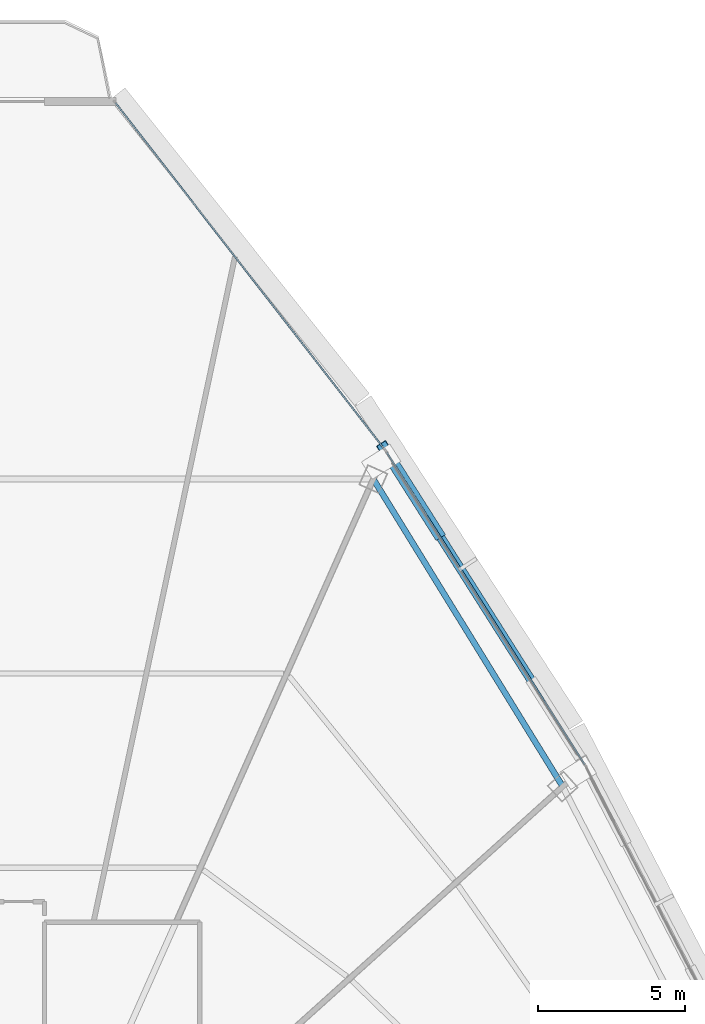
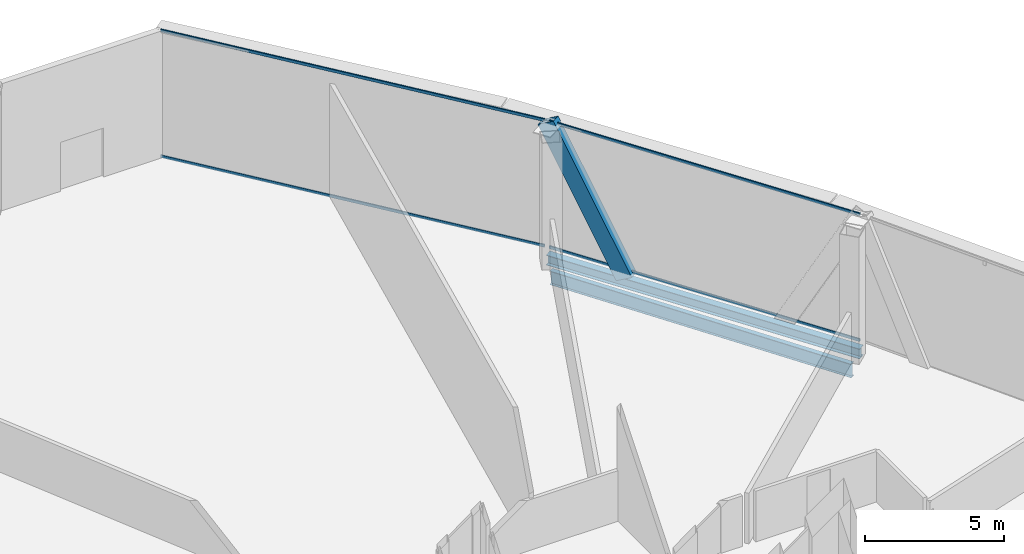
# One storey, part 23 of 33: 5 members, 2 beams, 2 elements without a shape of their own.
"""IFC4 building model written with IfcOpenShell, lengths in metres."""

import ifcopenshell
import ifcopenshell.guid

model = None  # the IFC model being written
_history = None  # IfcOwnerHistory: only IFC2X3 demands one
_inside = {}  # id of a spatial element -> (the spatial element, [elements in it])
_under = {}  # id of a project, library or spatial element -> (it, [spatial elements below it])
_declared = {}  # id of a project -> (the project, [libraries it declares])
_typed = {}  # id of a type object -> (the type object, [elements of that type])
_made_of = {}  # id of a material, layer set ... -> (it, [elements and type objects made of it])


def new_model(schema):
    """Start an empty IFC model of exactly this schema.

    Asked for "IFC4X3", IfcOpenShell would pick the latest addendum, in which some entities
    have other attributes; the version numbers below select the first issue.
    IFC2X3 requires an IfcOwnerHistory on every rooted entity: one is made here for all.
    """
    global model, _history
    if schema == "IFC4X3":
        model = ifcopenshell.file(schema_version=(4, 3, 0, 0))
    else:
        model = ifcopenshell.file(schema=schema)
    _inside.clear()
    _under.clear()
    _declared.clear()
    _typed.clear()
    _made_of.clear()
    _history = None
    if model.schema == "IFC2X3":
        org = make("IfcOrganization", Name="unknown")
        user = make(
            "IfcPersonAndOrganization",
            ThePerson=make("IfcPerson", FamilyName="unknown"),
            TheOrganization=org,
        )
        app = make(
            "IfcApplication",
            ApplicationDeveloper=org,
            Version="unknown",
            ApplicationFullName="unknown",
            ApplicationIdentifier="unknown",
        )
        _history = make(
            "IfcOwnerHistory",
            OwningUser=user,
            OwningApplication=app,
            ChangeAction="ADDED",
            CreationDate=0,
        )
    return model


def make(cls, **values):
    """One entity of the class cls with the attributes given. An attribute that is None is left unset."""
    return model.create_entity(
        cls, **{name: value for name, value in values.items() if value is not None}
    )


def rooted(cls, **values):
    """An entity with a GlobalId (a new one), such as an element, a storey or a relation."""
    return make(cls, GlobalId=ifcopenshell.guid.new(), OwnerHistory=_history, **values)


def si_unit(unit_type, name, prefix=None):
    """IfcSIUnit, for example si_unit("LENGTHUNIT", "METRE", prefix="MILLI")."""
    return make("IfcSIUnit", UnitType=unit_type, Prefix=prefix, Name=name)


def assignment(units):
    """IfcUnitAssignment: the units of a project."""
    return None if units is None else make("IfcUnitAssignment", Units=units)


def point(xyz):
    """IfcCartesianPoint."""
    return None if xyz is None else make("IfcCartesianPoint", Coordinates=xyz)


def direction(xyz):
    """IfcDirection."""
    return None if xyz is None else make("IfcDirection", DirectionRatios=xyz)


def frame(location, z_axis=None, x_axis=None):
    """IfcAxis2Placement3D, a coordinate frame: its origin and axes. An axis left out is left unset."""
    return make(
        "IfcAxis2Placement3D",
        Location=point(location),
        Axis=direction(z_axis),
        RefDirection=direction(x_axis),
    )


def frame_2d(location, x_axis=None):
    """IfcAxis2Placement2D, a coordinate frame in the plane: its origin and x axis."""
    return make(
        "IfcAxis2Placement2D", Location=point(location), RefDirection=direction(x_axis)
    )


def origin():
    """The frame at (0, 0, 0) with its axes left unset."""
    return frame((0.0, 0.0, 0.0))


def origin_2d():
    """The frame at (0, 0) in the plane with its x axis left unset."""
    return frame_2d((0.0, 0.0))


def place(relative_to, where):
    """IfcLocalPlacement: puts the frame where relative to a parent placement (None: the world)."""
    return make(
        "IfcLocalPlacement", PlacementRelTo=relative_to, RelativePlacement=where
    )


def context(
    kind, dimensions, precision=None, world=None, true_north=None, identifier=None
):
    """IfcGeometricRepresentationContext, for example the 3D "Model" context."""
    return make(
        "IfcGeometricRepresentationContext",
        ContextIdentifier=identifier,
        ContextType=kind,
        CoordinateSpaceDimension=dimensions,
        Precision=precision,
        WorldCoordinateSystem=world,
        TrueNorth=true_north,
    )


def subcontext(parent, identifier, kind, view, scale=None):
    """IfcGeometricRepresentationSubContext, for example "Body" below "Model"."""
    return make(
        "IfcGeometricRepresentationSubContext",
        ContextIdentifier=identifier,
        ContextType=kind,
        ParentContext=parent,
        TargetScale=scale,
        TargetView=view,
    )


def project(units=None, contexts=None):
    """IfcProject with its units and contexts."""
    return rooted(
        "IfcProject",
        Name="project",
        RepresentationContexts=contexts,
        UnitsInContext=assignment(units),
    )


def spatial(cls, under=None, at=None, **own):
    """A site, building, storey or space (cls), placed at a placement, below another one or the project."""
    s = rooted(cls, ObjectPlacement=at, **own)
    if under is not None:
        _under.setdefault(under.id(), (under, []))[1].append(s)
    return s


def profile(cls, at=None, kind="AREA", **sizes):
    """A parametric profile (cls). Its sizes go by their IFC names, for example OverallWidth=200.0."""
    return make(cls, ProfileType=kind, Position=at, **sizes)


def hollow_rectangle(**sizes):
    """IfcRectangleHollowProfileDef."""
    return profile("IfcRectangleHollowProfileDef", **sizes)


def i_section(**sizes):
    """IfcIShapeProfileDef."""
    return profile("IfcIShapeProfileDef", **sizes)


def extrude(swept, where, along, depth):
    """IfcExtrudedAreaSolid: the profile swept, set in the frame where, extruded along a direction by depth."""
    return make(
        "IfcExtrudedAreaSolid",
        SweptArea=swept,
        Position=where,
        ExtrudedDirection=direction(along),
        Depth=depth,
    )


def shape(context_of_items, identifier, shape_type, items):
    """IfcShapeRepresentation: the items that make up one representation, for example the "Body"."""
    return make(
        "IfcShapeRepresentation",
        ContextOfItems=context_of_items,
        RepresentationIdentifier=identifier,
        RepresentationType=shape_type,
        Items=items,
    )


def source(mapping_origin, context_of_items, identifier, shape_type, items):
    """IfcRepresentationMap: a shape defined once, which mapped items show again and again."""
    return make(
        "IfcRepresentationMap",
        MappingOrigin=mapping_origin,
        MappedRepresentation=shape(context_of_items, identifier, shape_type, items),
    )


def transform(
    local_origin,
    x_axis=None,
    y_axis=None,
    z_axis=None,
    scale=None,
    scale2=None,
    scale3=None,
    uniform=True,
):
    """IfcCartesianTransformationOperator3D, or its non-uniform kind. x_axis, y_axis, z_axis: its Axis1, 2, 3."""
    if uniform:
        return make(
            "IfcCartesianTransformationOperator3D",
            Axis1=direction(x_axis),
            Axis2=direction(y_axis),
            LocalOrigin=point(local_origin),
            Scale=scale,
            Axis3=direction(z_axis),
        )
    return make(
        "IfcCartesianTransformationOperator3DnonUniform",
        Axis1=direction(x_axis),
        Axis2=direction(y_axis),
        LocalOrigin=point(local_origin),
        Scale=scale,
        Axis3=direction(z_axis),
        Scale2=scale2,
        Scale3=scale3,
    )


def mapped(mapping_source, mapping_target):
    """IfcMappedItem: shows the shape of a source again, moved by a transform."""
    return make(
        "IfcMappedItem", MappingSource=mapping_source, MappingTarget=mapping_target
    )


def material(Name=None, Category=None):
    """IfcMaterial."""
    return make("IfcMaterial", Name=Name, Category=Category)


def layer(
    of_material, thickness, ventilated=None, Name=None, Category=None, Priority=None
):
    """IfcMaterialLayer: one layer of a wall or slab, of a material (None: an air gap)."""
    return make(
        "IfcMaterialLayer",
        Material=of_material,
        LayerThickness=thickness,
        IsVentilated=ventilated,
        Name=Name,
        Category=Category,
        Priority=Priority,
    )


def layer_set(layers, Name=None):
    """IfcMaterialLayerSet."""
    return make("IfcMaterialLayerSet", MaterialLayers=layers, LayerSetName=Name)


def material_profile(
    of_material, cross_section, Name=None, Category=None, Priority=None
):
    """IfcMaterialProfile: a cross section and its material."""
    return make(
        "IfcMaterialProfile",
        Name=Name,
        Material=of_material,
        Profile=cross_section,
        Priority=Priority,
        Category=Category,
    )


def profile_set(profiles, Name=None, composite=None):
    """IfcMaterialProfileSet."""
    return make(
        "IfcMaterialProfileSet",
        Name=Name,
        MaterialProfiles=profiles,
        CompositeProfile=composite,
    )


def made_of(thing, what):
    """Note that an element or type object is made of a material, layer set ...; save() writes the relation."""
    if what is not None:
        _made_of.setdefault(what.id(), (what, []))[1].append(thing)
    return thing


def type_object(cls, material=None, **own):
    """A type object (cls), such as IfcWallType, which elements share."""
    return made_of(rooted(cls, **own), material)


def element(
    cls,
    number,
    at=None,
    inside=None,
    cuts=None,
    type_object=None,
    material=None,
    context=None,
    identifier="Body",
    shape_type=None,
    held_by="IfcProductDefinitionShape",
    body=None,
    shapes=None,
    **own,
):
    """One element of the class cls, such as IfcWall. Its Tag is "e" and its number.

    at: its placement. inside: the storey or other place that contains it. cuts: it is an
    opening in that element (IfcRelVoidsElement). A single representation is given by context,
    identifier, shape_type and body (its items); several are given by shapes. held_by: the class
    of the entity that holds the representations. save() writes the other relations.
    """
    e = rooted(cls, Tag="e%d" % number, ObjectPlacement=at, **own)
    if body is not None:
        shapes = [shape(context, identifier, shape_type, body)]
    if shapes is not None:
        e.Representation = make(held_by, Representations=shapes)
    if inside is not None:
        _inside.setdefault(inside.id(), (inside, []))[1].append(e)
    if cuts is not None:
        rooted(
            "IfcRelVoidsElement", RelatingBuildingElement=cuts, RelatedOpeningElement=e
        )
    if type_object is not None:
        _typed.setdefault(type_object.id(), (type_object, []))[1].append(e)
    return made_of(e, material)


def aggregate(whole, parts):
    """IfcRelAggregates: a whole, such as a stair, and the parts it consists of."""
    return rooted("IfcRelAggregates", RelatingObject=whole, RelatedObjects=parts)


def save(model, path):
    """Write the relations noted so far, then the file.

    IfcRelAggregates (storeys below a building ...), IfcRelContainedInSpatialStructure (elements
    in a storey), IfcRelDefinesByType, IfcRelAssociatesMaterial and IfcRelDeclares: one each for
    every whole, place, type object, material and project.
    """
    for whole, parts in _under.values():
        aggregate(whole, parts)
    for where, things in _inside.values():
        rooted(
            "IfcRelContainedInSpatialStructure",
            RelatedElements=things,
            RelatingStructure=where,
        )
    for kind, things in _typed.values():
        rooted("IfcRelDefinesByType", RelatedObjects=things, RelatingType=kind)
    for what, things in _made_of.values():
        rooted("IfcRelAssociatesMaterial", RelatedObjects=things, RelatingMaterial=what)
    for by, libraries in _declared.values():
        rooted("IfcRelDeclares", RelatingContext=by, RelatedDefinitions=libraries)
    model.write(path)


model = new_model("IFC4")

# Units and contexts
model_context = context("Model", 3, precision=1e-05, world=origin(), true_north=direction((0.0, 1.0)))
body_context = subcontext(model_context, "Body", "Model", "MODEL_VIEW")
ifc_project = project(units=[si_unit("LENGTHUNIT", "METRE"), si_unit("AREAUNIT", "SQUARE_METRE"), si_unit("VOLUMEUNIT", "CUBIC_METRE"), si_unit("PLANEANGLEUNIT", "RADIAN"), si_unit("MASSUNIT", "GRAM", prefix="KILO"), si_unit("THERMODYNAMICTEMPERATUREUNIT", "KELVIN"), si_unit("POWERUNIT", "WATT")], contexts=[model_context])

# Site, building, storey
site_placement = place(None, origin())
site = spatial("IfcSite", under=ifc_project, at=site_placement, CompositionType="ELEMENT")
building_placement = place(site_placement, origin())
building = spatial("IfcBuilding", under=site, at=building_placement, Name="Yunzhuo Pagoda Commons", CompositionType="ELEMENT")
storey_placement = place(building_placement, frame((0.0, 0.0, 314.860107421875)))
storey = spatial("IfcBuildingStorey", under=building, at=storey_placement, Name="L79", CompositionType="ELEMENT", Elevation=314.860107421875)

# Beams
ifc_material_1 = material(Name="Structural steel Q355B", Category="steel")
ifc_material_profile_1 = material_profile(ifc_material_1, i_section(OverallWidth=0.199951171875, OverallDepth=0.60009765625, WebThickness=0.010986328125, FlangeThickness=0.01708984375, at=origin_2d()), Name="Structural steel Q355B")
ifc_profile_set_1 = profile_set([ifc_material_profile_1], Name="Structural steel Q355B")
beam_type_1 = type_object("IfcBeamType", Name="B-RG3 Beam HN 600x200x11x17", PredefinedType="BEAM", material=ifc_profile_set_1)
shared_shape_1 = source(origin(), body_context, "Body", "SweptSolid", [
    extrude(i_section(OverallWidth=0.199951171875, OverallDepth=0.60009765625, WebThickness=0.010986328125, FlangeThickness=0.01708984375, at=origin_2d()), origin(), (0.0, 0.0, 1.0), 12.315185546875),
])
beam_1_placement = place(storey_placement, frame((66.5732421875, 50.423583984375, -0.56005859375), z_axis=(-0.524469015689, 0.851429534126, 0.0), x_axis=(-0.851429534126, -0.524469015689, 0.0)))
element("IfcBeam", 1, at=beam_1_placement, inside=storey, type_object=beam_type_1, Name="L79 column-ring beam 7", PredefinedType="BEAM", context=body_context, shape_type="MappedRepresentation", body=[
    mapped(shared_shape_1, transform((0.0, 0.0, 0.0), scale=1.0)),
])
ifc_material_profile_2 = material_profile(ifc_material_1, i_section(OverallWidth=0.300048828125, OverallDepth=0.43994140625, WebThickness=0.010986328125, FlangeThickness=0.01806640625, at=origin_2d()), Name="Structural steel Q355B")
ifc_profile_set_2 = profile_set([ifc_material_profile_2], Name="Structural steel Q355B")
beam_type_2 = type_object("IfcBeamType", Name="B-SP2 Beam HM 440x300x11x18", PredefinedType="BEAM", material=ifc_profile_set_2)
shared_shape_2 = source(origin(), body_context, "Body", "SweptSolid", [
    extrude(i_section(OverallWidth=0.300048828125, OverallDepth=0.43994140625, WebThickness=0.010986328125, FlangeThickness=0.01806640625, at=origin_2d()), origin(), (0.0, 0.0, 1.0), 12.72021484375),
])
beam_2_placement = place(storey_placement, frame((67.353515625, 51.1259765625, -0.480224609375), z_axis=(-0.535527335228, 0.844517893963, 0.0), x_axis=(-0.844517893963, -0.535527335228, 0.0)))
element("IfcBeam", 2, at=beam_2_placement, inside=storey, type_object=beam_type_2, Name="L79 facade edge spandrel beam F2.3", PredefinedType="BEAM", context=body_context, shape_type="MappedRepresentation", body=[
    mapped(shared_shape_2, transform((0.0, 0.0, 0.0), scale=1.0)),
])

# Member
ifc_material_profile_3 = material_profile(ifc_material_1, hollow_rectangle(XDim=0.3798828125, YDim=0.719970703125, WallThickness=0.02001953125, at=origin_2d()), Name="Structural steel Q355B")
ifc_profile_set_3 = profile_set([ifc_material_profile_3], Name="Structural steel Q355B")
member_type_1 = type_object("IfcMemberType", Name="M-DL3 Brace BOX 720x380x20", PredefinedType="BRACE", material=ifc_profile_set_3)
shared_shape_3 = source(origin(), body_context, "Body", "SweptSolid", [
    extrude(hollow_rectangle(XDim=0.3798828125, YDim=0.719970703125, WallThickness=0.02001953125, at=origin_2d()), origin(), (0.0, 0.0, 1.0), 6.640625),
])
member_1_placement = place(storey_placement, frame((62.244384765625, 59.182861328125, -0.260009765625), z_axis=(-0.256430831322, 0.404407045813, 0.877894167906), x_axis=(-0.84452975048, -0.535508637236, 0.0)))
element("IfcMember", 3, at=member_1_placement, inside=storey, type_object=member_type_1, Name="L79 facade diamond brace F2.3R", PredefinedType="BRACE", context=body_context, shape_type="MappedRepresentation", body=[
    mapped(shared_shape_3, transform((0.0, 0.0, 0.0), scale=1.0)),
])

# Curtain wall, members
ifc_material_2 = material(Name="Anodized aluminium 6063-T6", Category="aluminium")
ifc_layer = layer(ifc_material_2, 0.139892578125)
ifc_layer_set = layer_set([ifc_layer], Name="Anodized aluminium 6063-T6")
curtain_wall_type = type_object("IfcCurtainWallType", Name="CW-HI High-Zone Ribbon Curtain Wall", PredefinedType="NOTDEFINED", material=ifc_layer_set)
curtain_wall_1_placement = place(storey_placement, origin())
curtain_wall_1 = element("IfcCurtainWall", 4, at=curtain_wall_1_placement, inside=storey, type_object=curtain_wall_type, Name="L79 curtain wall CW-L79-F2B4", PredefinedType="NOTDEFINED")
ifc_material_profile_4 = material_profile(ifc_material_2, hollow_rectangle(XDim=0.054931640625, YDim=0.1201171875, WallThickness=0.00341796875, at=origin_2d()), Name="Anodized aluminium 6063-T6")
ifc_profile_set_4 = profile_set([ifc_material_profile_4], Name="Anodized aluminium 6063-T6")
member_type_2 = type_object("IfcMemberType", Name="CW-HI-T Transom RHS 120x55x3.5", PredefinedType="USERDEFINED", material=ifc_profile_set_4)
shared_shape_4 = source(origin(), body_context, "Body", "SweptSolid", [
    extrude(hollow_rectangle(XDim=0.054931640625, YDim=0.1201171875, WallThickness=0.00341796875, at=origin_2d()), origin(), (0.0, 0.0, 1.0), 12.600341796875),
])
member_2_placement = place(storey_placement, frame((67.321533203125, 51.1767578125, 0.02734375), z_axis=(-0.535543373516, 0.844507723519, 0.0), x_axis=(-0.844507723519, -0.535543373516, 0.0)))
member_2 = element("IfcMember", 5, at=member_2_placement, type_object=member_type_2, Name="CW transom 1.1", ObjectType="TRANSOM", PredefinedType="USERDEFINED", context=body_context, shape_type="MappedRepresentation", body=[
    mapped(shared_shape_4, transform((0.0, 0.0, 0.0), scale=1.0)),
])
member_3_placement = place(storey_placement, frame((67.321533203125, 51.1767578125, 5.54248046875), z_axis=(-0.535543373516, 0.844507723519, 0.0), x_axis=(-0.844507723519, -0.535543373516, 0.0)))
member_3 = element("IfcMember", 6, at=member_3_placement, type_object=member_type_2, Name="CW transom 1.2", ObjectType="TRANSOM", PredefinedType="USERDEFINED", context=body_context, shape_type="MappedRepresentation", body=[
    mapped(shared_shape_4, transform((0.0, 0.0, 0.0), scale=1.0)),
])
aggregate(curtain_wall_1, [member_2, member_3])

curtain_wall_2_placement = place(storey_placement, origin())
curtain_wall_2 = element("IfcCurtainWall", 7, at=curtain_wall_2_placement, inside=storey, type_object=curtain_wall_type, Name="L79 curtain wall CW-L79-F2B5", PredefinedType="NOTDEFINED")
shared_shape_5 = source(origin(), body_context, "Body", "SweptSolid", [
    extrude(hollow_rectangle(XDim=0.054931640625, YDim=0.1201171875, WallThickness=0.00341796875, at=origin_2d()), origin(), (0.0, 0.0, 1.0), 14.89453125),
])
member_4_placement = place(storey_placement, frame((60.45849609375, 61.97509765625, 0.02734375), z_axis=(-0.613382144037, 0.789786265629, 0.0), x_axis=(-0.789786265629, -0.613382144037, 0.0)))
member_4 = element("IfcMember", 8, at=member_4_placement, type_object=member_type_2, Name="CW transom 1.1", ObjectType="TRANSOM", PredefinedType="USERDEFINED", context=body_context, shape_type="MappedRepresentation", body=[
    mapped(shared_shape_5, transform((0.0, 0.0, 0.0), scale=1.0)),
])
member_5_placement = place(storey_placement, frame((60.45849609375, 61.97509765625, 5.54248046875), z_axis=(-0.613382144037, 0.789786265629, 0.0), x_axis=(-0.789786265629, -0.613382144037, 0.0)))
member_5 = element("IfcMember", 9, at=member_5_placement, type_object=member_type_2, Name="CW transom 1.2", ObjectType="TRANSOM", PredefinedType="USERDEFINED", context=body_context, shape_type="MappedRepresentation", body=[
    mapped(shared_shape_5, transform((0.0, 0.0, 0.0), scale=1.0)),
])
aggregate(curtain_wall_2, [member_4, member_5])

save(model, "model.ifc")
